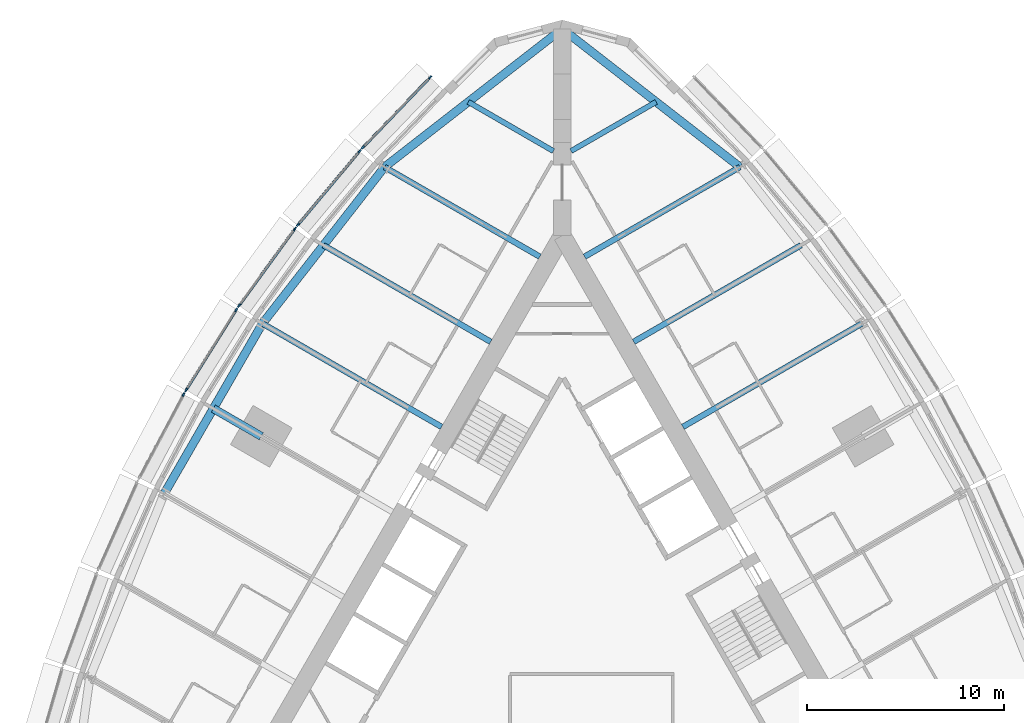
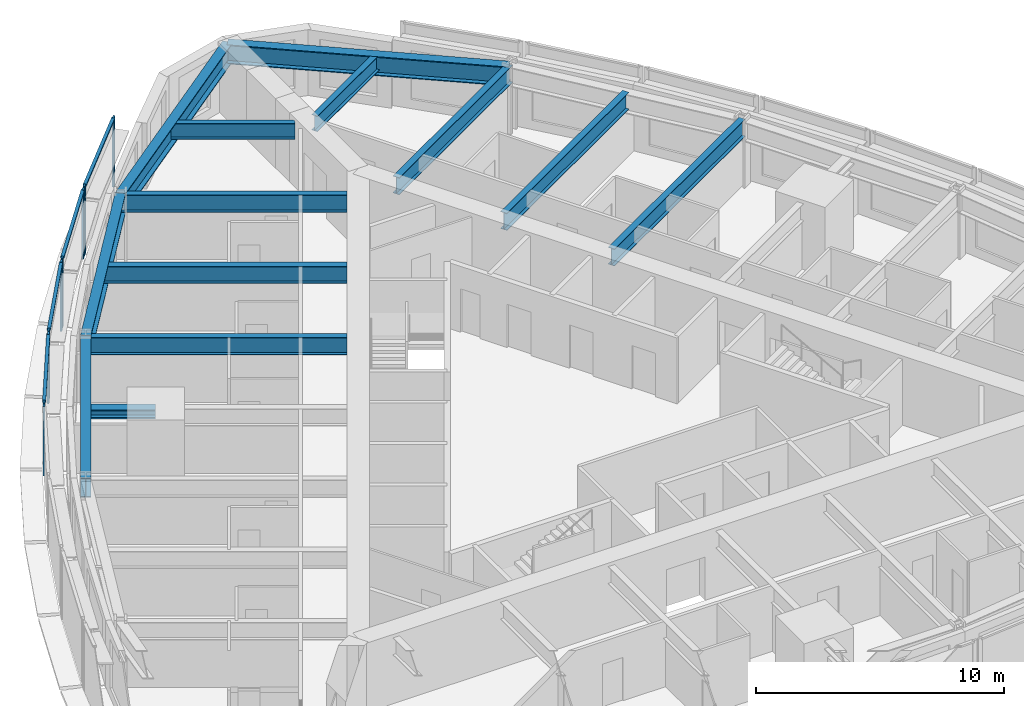
# One storey, part 4 of 14: 13 beams, 13 members, 5 elements without a shape of their own.
"""IFC4 building model written with IfcOpenShell, lengths in metres."""

from ifc_helpers import new_model, si_unit, direction, frame, origin, origin_2d, place, context, subcontext, project, spatial, rectangle, i_section, extrude, material, material_profile, profile_set, type_object, element, aggregate, save


model = new_model("IFC4")

# Units and contexts
model_context = context("Model", 3, precision=1e-05, world=origin(), true_north=direction((0.0, 1.0)))
body_context = subcontext(model_context, "Body", "Model", "MODEL_VIEW")
ifc_project = project(units=[si_unit("LENGTHUNIT", "METRE"), si_unit("AREAUNIT", "SQUARE_METRE"), si_unit("VOLUMEUNIT", "CUBIC_METRE"), si_unit("PLANEANGLEUNIT", "RADIAN"), si_unit("MASSUNIT", "GRAM", prefix="KILO")], contexts=[model_context])

# Site, building, storey
site_placement = place(None, origin())
site = spatial("IfcSite", under=ifc_project, at=site_placement, CompositionType="ELEMENT")
building_placement = place(site_placement, origin())
building = spatial("IfcBuilding", under=site, at=building_placement, Name="Trikona Tower", CompositionType="ELEMENT")
storey_placement = place(building_placement, frame((0.0, 0.0, 135.10009765625)))
storey = spatial("IfcBuildingStorey", under=building, at=storey_placement, Name="L35", CompositionType="ELEMENT", Elevation=135.10009765625)

# Curtain wall, members
ifc_material_1 = material(Name="Aluminium curtain wall system", Category="aluminium")
curtain_wall_type = type_object("IfcCurtainWallType", Name="Curtain wall DS2", PredefinedType="NOTDEFINED", material=ifc_material_1)
curtain_wall_1_placement = place(storey_placement, origin())
curtain_wall_1 = element("IfcCurtainWall", 1, at=curtain_wall_1_placement, inside=storey, type_object=curtain_wall_type, Name="Curtain wall DS2 L35", PredefinedType="NOTDEFINED")
ifc_material_2 = material(Name="Aluminium mullion, pale anodised", Category="aluminium")
ifc_material_profile_1 = material_profile(ifc_material_2, rectangle(XDim=0.080078125, YDim=0.199951171875, at=origin_2d()), Name="MUL-DS2")
ifc_profile_set_1 = profile_set([ifc_material_profile_1], Name="Aluminium mullion, pale anodised")
member_type_1 = type_object("IfcMemberType", Name="Mullion DS2 80x200", PredefinedType="MULLION", material=ifc_profile_set_1)
member_1_placement = place(storey_placement, frame((-6.718994140625, 27.1083984375, 0.0), z_axis=(0.0, 0.0, 1.0), x_axis=(0.722158330767, -0.691727797117, 0.0)))
member_1 = element("IfcMember", 2, at=member_1_placement, type_object=member_type_1, Name="CW-DS2 mullion 1", PredefinedType="MULLION", context=body_context, shape_type="SweptSolid", body=[
    extrude(rectangle(XDim=0.080078125, YDim=0.199951171875, at=origin_2d()), origin(), (0.0, 0.0, 1.0), 3.39990234375),
])
member_2_placement = place(storey_placement, frame((-10.1416015625, 23.535400390625, 0.0), z_axis=(0.0, 0.0, 1.0), x_axis=(0.722158330767, -0.691727797117, 0.0)))
member_2 = element("IfcMember", 3, at=member_2_placement, type_object=member_type_1, Name="CW-DS2 mullion 2", PredefinedType="MULLION", context=body_context, shape_type="SweptSolid", body=[
    extrude(rectangle(XDim=0.080078125, YDim=0.199951171875, at=origin_2d()), origin(), (0.0, 0.0, 1.0), 3.39990234375),
])

curtain_wall_2_placement = place(storey_placement, origin())
curtain_wall_2 = element("IfcCurtainWall", 4, at=curtain_wall_2_placement, inside=storey, type_object=curtain_wall_type, Name="Curtain wall DS2 L35", PredefinedType="NOTDEFINED")
member_3_placement = place(storey_placement, frame((-10.315185546875, 23.34130859375, 0.0), z_axis=(0.0, 0.0, 1.0), x_axis=(0.766866678271, -0.641806433248, 0.0)))
member_3 = element("IfcMember", 5, at=member_3_placement, type_object=member_type_1, Name="CW-DS2 mullion 1", PredefinedType="MULLION", context=body_context, shape_type="SweptSolid", body=[
    extrude(rectangle(XDim=0.080078125, YDim=0.199951171875, at=origin_2d()), origin(), (0.0, 0.0, 1.0), 3.39990234375),
])
member_4_placement = place(storey_placement, frame((-13.44482421875, 19.602294921875, 0.0), z_axis=(0.0, 0.0, 1.0), x_axis=(0.766866678271, -0.641806433248, 0.0)))
member_4 = element("IfcMember", 6, at=member_4_placement, type_object=member_type_1, Name="CW-DS2 mullion 2", PredefinedType="MULLION", context=body_context, shape_type="SweptSolid", body=[
    extrude(rectangle(XDim=0.080078125, YDim=0.199951171875, at=origin_2d()), origin(), (0.0, 0.0, 1.0), 3.39990234375),
])

curtain_wall_3_placement = place(storey_placement, origin())
curtain_wall_3 = element("IfcCurtainWall", 7, at=curtain_wall_3_placement, inside=storey, type_object=curtain_wall_type, Name="Curtain wall DS2 L35", PredefinedType="NOTDEFINED")
member_5_placement = place(storey_placement, frame((-13.605712890625, 19.39599609375, 0.0), z_axis=(0.0, 0.0, 1.0), x_axis=(0.80908576332, -0.587690588313, 0.0)))
member_5 = element("IfcMember", 8, at=member_5_placement, type_object=member_type_1, Name="CW-DS2 mullion 1", PredefinedType="MULLION", context=body_context, shape_type="SweptSolid", body=[
    extrude(rectangle(XDim=0.080078125, YDim=0.199951171875, at=origin_2d()), origin(), (0.0, 0.0, 1.0), 3.39990234375),
])
member_6_placement = place(storey_placement, frame((-16.442626953125, 15.489990234375, 0.0), z_axis=(0.0, 0.0, 1.0), x_axis=(0.80908576332, -0.587690588313, 0.0)))
member_6 = element("IfcMember", 9, at=member_6_placement, type_object=member_type_1, Name="CW-DS2 mullion 2", PredefinedType="MULLION", context=body_context, shape_type="SweptSolid", body=[
    extrude(rectangle(XDim=0.080078125, YDim=0.199951171875, at=origin_2d()), origin(), (0.0, 0.0, 1.0), 3.39990234375),
])

curtain_wall_4_placement = place(storey_placement, origin())
curtain_wall_4 = element("IfcCurtainWall", 10, at=curtain_wall_4_placement, inside=storey, type_object=curtain_wall_type, Name="Curtain wall DS2 L35", PredefinedType="NOTDEFINED")
member_7_placement = place(storey_placement, frame((-16.589599609375, 15.2724609375, 0.0), z_axis=(0.0, 0.0, 1.0), x_axis=(0.847998304006, -0.529998940002, 0.0)))
member_7 = element("IfcMember", 11, at=member_7_placement, type_object=member_type_1, Name="CW-DS2 mullion 1", PredefinedType="MULLION", context=body_context, shape_type="SweptSolid", body=[
    extrude(rectangle(XDim=0.080078125, YDim=0.199951171875, at=origin_2d()), origin(), (0.0, 0.0, 1.0), 3.39990234375),
])
member_8_placement = place(storey_placement, frame((-19.135009765625, 11.199462890625, 0.0), z_axis=(0.0, 0.0, 1.0), x_axis=(0.847998304006, -0.529998940002, 0.0)))
member_8 = element("IfcMember", 12, at=member_8_placement, type_object=member_type_1, Name="CW-DS2 mullion 2", PredefinedType="MULLION", context=body_context, shape_type="SweptSolid", body=[
    extrude(rectangle(XDim=0.080078125, YDim=0.199951171875, at=origin_2d()), origin(), (0.0, 0.0, 1.0), 3.39990234375),
])

# Curtain wall, member
curtain_wall_5_placement = place(storey_placement, origin())
curtain_wall_5 = element("IfcCurtainWall", 13, at=curtain_wall_5_placement, inside=storey, type_object=curtain_wall_type, Name="Curtain wall DS2 L35", PredefinedType="NOTDEFINED")
member_9_placement = place(storey_placement, frame((-19.2666015625, 10.9716796875, 0.0), z_axis=(0.0, 0.0, 1.0), x_axis=(0.882996107343, -0.469380308937, 0.0)))
member_9 = element("IfcMember", 14, at=member_9_placement, type_object=member_type_1, Name="CW-DS2 mullion 1", PredefinedType="MULLION", context=body_context, shape_type="SweptSolid", body=[
    extrude(rectangle(XDim=0.080078125, YDim=0.199951171875, at=origin_2d()), origin(), (0.0, 0.0, 1.0), 3.39990234375),
])
aggregate(curtain_wall_5, [member_9])

# Beams
ifc_material_3 = material(Name="Steel ASTM A992 Grade 50", Category="steel")
ifc_material_profile_2 = material_profile(ifc_material_3, i_section(OverallWidth=0.419189453125, OverallDepth=0.45458984375, WebThickness=0.042236328125, FlangeThickness=0.067626953125, at=origin_2d()), Name="W14X370")
ifc_profile_set_2 = profile_set([ifc_material_profile_2], Name="Steel ASTM A992 Grade 50")
beam_type_1 = type_object("IfcBeamType", Name="Steel beam W14x370 (apex bracket)", PredefinedType="BEAM", material=ifc_profile_set_2)
beam_1_placement = place(storey_placement, frame((-15.311767578125, 8.84033203125, 3.007568359375), z_axis=(-0.86605005072, 0.499957307824, 0.0), x_axis=(-0.499957307824, -0.86605005072, 0.0)))
element("IfcBeam", 15, at=beam_1_placement, inside=storey, type_object=beam_type_1, Name="Cantilever bracket L36 F3", PredefinedType="BEAM", context=body_context, shape_type="SweptSolid", body=[
    extrude(i_section(OverallWidth=0.419189453125, OverallDepth=0.45458984375, WebThickness=0.042236328125, FlangeThickness=0.067626953125, at=origin_2d()), origin(), (0.0, 0.0, 1.0), 2.819580078125),
])
ifc_material_4 = material(Name="Steel ASTM A992 Grade 50", Category="steel")
ifc_material_profile_3 = material_profile(ifc_material_4, i_section(OverallWidth=0.2666015625, OverallDepth=0.76953125, WebThickness=0.015625, FlangeThickness=0.025390625, at=origin_2d()), Name="W30X132")
ifc_profile_set_3 = profile_set([ifc_material_profile_3], Name="Steel ASTM A992 Grade 50")
beam_type_2 = type_object("IfcBeamType", Name="Steel beam W30x132 (wedge)", PredefinedType="BEAM", material=ifc_profile_set_3)
for number, where, z_axis, x_axis, name in (
    (16, (0.449951171875, 23.353759765625, 2.85009765625), (0.866038434829, 0.49997742889, 0.0), (-0.49997742889, 0.866038434829, 0.0), "Floor beam L36 F2 u20"),
    (17, (-0.449951171875, 23.353759765625, 2.85009765625), (-0.866038434829, 0.49997742889, 0.0), (-0.49997742889, -0.866038434829, 0.0), "Floor beam L36 F3 u-20"),
):
    element("IfcBeam", number, at=place(storey_placement, frame(where, z_axis=z_axis, x_axis=x_axis)), inside=storey, type_object=beam_type_2, Name=name, PredefinedType="BEAM", context=body_context, shape_type="SweptSolid", body=[
        extrude(i_section(OverallWidth=0.2666015625, OverallDepth=0.76953125, WebThickness=0.015625, FlangeThickness=0.025390625, at=origin_2d()), origin(), (0.0, 0.0, 1.0), 5.000732421875),
    ])
ifc_material_5 = material(Name="Steel ASTM A992 Grade 50", Category="steel")
ifc_material_profile_4 = material_profile(ifc_material_5, i_section(OverallWidth=0.2919921875, OverallDepth=0.845703125, WebThickness=0.015380859375, FlangeThickness=0.0244140625, at=origin_2d()), Name="W33X141")
ifc_profile_set_4 = profile_set([ifc_material_profile_4], Name="Steel ASTM A992 Grade 50")
beam_type_3 = type_object("IfcBeamType", Name="Steel beam W33x141 (radial typ)", PredefinedType="BEAM", material=ifc_profile_set_4)
beam_2_placement = place(storey_placement, frame((6.1396484375, 9.318359375, 2.81201171875), z_axis=(0.866036080828, 0.499981506362, 0.0), x_axis=(-0.499981506362, 0.866036080828, 0.0)))
element("IfcBeam", 18, at=beam_2_placement, inside=storey, type_object=beam_type_3, Name="Floor beam L36 F2 u5", PredefinedType="BEAM", context=body_context, shape_type="SweptSolid", body=[
    extrude(i_section(OverallWidth=0.2919921875, OverallDepth=0.845703125, WebThickness=0.015380859375, FlangeThickness=0.0244140625, at=origin_2d()), origin(), (0.0, 0.0, 1.0), 10.52392578125),
])
beam_3_placement = place(storey_placement, frame((3.6396484375, 13.6484375, 2.81201171875), z_axis=(0.866030807744, 0.499990639951, 0.0), x_axis=(-0.499990639951, 0.866030807744, 0.0)))
element("IfcBeam", 19, at=beam_3_placement, inside=storey, type_object=beam_type_3, Name="Floor beam L36 F2 u10", PredefinedType="BEAM", context=body_context, shape_type="SweptSolid", body=[
    extrude(i_section(OverallWidth=0.2919921875, OverallDepth=0.845703125, WebThickness=0.015380859375, FlangeThickness=0.0244140625, at=origin_2d()), origin(), (0.0, 0.0, 1.0), 9.823974609375),
])
for number, where, z_axis, x_axis, name in (
    (20, (1.1396484375, 17.978515625, 2.81201171875), (0.866024725532, 0.500001174766, 0.0), (-0.500001174766, 0.866024725532, 0.0), "Floor beam L36 F2 u15"),
    (21, (-1.1396484375, 17.978515625, 2.81201171875), (-0.866024725532, 0.500001174766, 0.0), (-0.500001174766, -0.866024725532, 0.0), "Floor beam L36 F3 u-15"),
):
    element("IfcBeam", number, at=place(storey_placement, frame(where, z_axis=z_axis, x_axis=x_axis)), inside=storey, type_object=beam_type_3, Name=name, PredefinedType="BEAM", context=body_context, shape_type="SweptSolid", body=[
        extrude(i_section(OverallWidth=0.2919921875, OverallDepth=0.845703125, WebThickness=0.015380859375, FlangeThickness=0.0244140625, at=origin_2d()), origin(), (0.0, 0.0, 1.0), 9.1240234375),
    ])
beam_4_placement = place(storey_placement, frame((-3.6396484375, 13.6484375, 2.81201171875), z_axis=(-0.866030807744, 0.499990639951, 0.0), x_axis=(-0.499990639951, -0.866030807744, 0.0)))
element("IfcBeam", 22, at=beam_4_placement, inside=storey, type_object=beam_type_3, Name="Floor beam L36 F3 u-10", PredefinedType="BEAM", context=body_context, shape_type="SweptSolid", body=[
    extrude(i_section(OverallWidth=0.2919921875, OverallDepth=0.845703125, WebThickness=0.015380859375, FlangeThickness=0.0244140625, at=origin_2d()), origin(), (0.0, 0.0, 1.0), 9.823974609375),
])
beam_5_placement = place(storey_placement, frame((-6.1396484375, 9.318359375, 2.81201171875), z_axis=(-0.866036080828, 0.499981506362, 0.0), x_axis=(-0.499981506362, -0.866036080828, 0.0)))
element("IfcBeam", 23, at=beam_5_placement, inside=storey, type_object=beam_type_3, Name="Floor beam L36 F3 u-5", PredefinedType="BEAM", context=body_context, shape_type="SweptSolid", body=[
    extrude(i_section(OverallWidth=0.2919921875, OverallDepth=0.845703125, WebThickness=0.015380859375, FlangeThickness=0.0244140625, at=origin_2d()), origin(), (0.0, 0.0, 1.0), 10.52392578125),
])
ifc_material_6 = material(Name="Steel ASTM A992 Grade 50", Category="steel")
ifc_material_profile_5 = material_profile(ifc_material_6, i_section(OverallWidth=0.424072265625, OverallDepth=0.947509765625, WebThickness=0.02392578125, FlangeThickness=0.042724609375, at=origin_2d()), Name="W36X302")
ifc_profile_set_5 = profile_set([ifc_material_profile_5], Name="Steel ASTM A992 Grade 50")
beam_type_4 = type_object("IfcBeamType", Name="Steel beam W36x302 (spandrel)", PredefinedType="SPANDREL", material=ifc_profile_set_5)
for number, where, z_axis, x_axis, name in (
    (24, (9.041259765625, 22.54052734375, 2.76123046875), (-0.789367137808, 0.613921429621, 0.0), (-0.613921429621, -0.789367137808, 0.0), "Spandrel beam L36 F2-5"),
    (25, (0.0, 29.572265625, 2.76123046875), (-0.789367137808, -0.613921429621, 0.0), (0.613921429621, -0.789367137808, 0.0), "Spandrel beam L36 F3-1"),
):
    element("IfcBeam", number, at=place(storey_placement, frame(where, z_axis=z_axis, x_axis=x_axis)), inside=storey, type_object=beam_type_4, Name=name, PredefinedType="SPANDREL", context=body_context, shape_type="SweptSolid", body=[
        extrude(i_section(OverallWidth=0.424072265625, OverallDepth=0.947509765625, WebThickness=0.02392578125, FlangeThickness=0.042724609375, at=origin_2d()), origin(), (0.0, 0.0, 1.0), 11.453857421875),
    ])
beam_6_placement = place(storey_placement, frame((-9.041259765625, 22.54052734375, 2.76123046875), z_axis=(-0.615232009054, -0.788346101046, 0.0), x_axis=(0.788346101046, -0.615232009054, 0.0)))
element("IfcBeam", 26, at=beam_6_placement, inside=storey, type_object=beam_type_4, Name="Spandrel beam L36 F3-2", PredefinedType="SPANDREL", context=body_context, shape_type="SweptSolid", body=[
    extrude(i_section(OverallWidth=0.424072265625, OverallDepth=0.947509765625, WebThickness=0.02392578125, FlangeThickness=0.042724609375, at=origin_2d()), origin(), (0.0, 0.0, 1.0), 10.09765625),
])
beam_7_placement = place(storey_placement, frame((-15.253662109375, 14.580078125, 2.76123046875), z_axis=(-0.500004234368, -0.866022959057, 0.0), x_axis=(0.866022959057, -0.500004234368, 0.0)))
element("IfcBeam", 27, at=beam_7_placement, inside=storey, type_object=beam_type_4, Name="Spandrel beam L36 F3-3", PredefinedType="SPANDREL", context=body_context, shape_type="SweptSolid", body=[
    extrude(i_section(OverallWidth=0.424072265625, OverallDepth=0.947509765625, WebThickness=0.02392578125, FlangeThickness=0.042724609375, at=origin_2d()), origin(), (0.0, 0.0, 1.0), 10.0),
])

# Member
ifc_material_7 = material(Name="Aluminium transom, pale anodised", Category="aluminium")
ifc_material_profile_6 = material_profile(ifc_material_7, rectangle(XDim=0.139892578125, YDim=0.080078125, at=origin_2d()), Name="TRN-DS2")
ifc_profile_set_6 = profile_set([ifc_material_profile_6], Name="Aluminium transom, pale anodised")
member_type_2 = type_object("IfcMemberType", Name="Transom DS2 80x140", PredefinedType="USERDEFINED", material=ifc_profile_set_6)
member_10_placement = place(storey_placement, frame((-6.746826171875, 27.07958984375, 3.35986328125), z_axis=(-0.691721246785, -0.722164605022, 0.0), x_axis=(0.722164605022, -0.691721246785, 0.0)))
member_10 = element("IfcMember", 28, at=member_10_placement, type_object=member_type_2, Name="CW-DS2 transom 1.1", ObjectType="TRANSOM", PredefinedType="USERDEFINED", context=body_context, shape_type="SweptSolid", body=[
    extrude(rectangle(XDim=0.139892578125, YDim=0.080078125, at=origin_2d()), origin(), (0.0, 0.0, 1.0), 4.867919921875),
])

aggregate(curtain_wall_1, [member_1, member_2, member_10])

member_11_placement = place(storey_placement, frame((-10.341064453125, 23.310791015625, 3.35986328125), z_axis=(-0.641770294892, -0.766896921753, 0.0), x_axis=(0.766896921753, -0.641770294892, 0.0)))
member_11 = element("IfcMember", 29, at=member_11_placement, type_object=member_type_2, Name="CW-DS2 transom 1.1", ObjectType="TRANSOM", PredefinedType="USERDEFINED", context=body_context, shape_type="SweptSolid", body=[
    extrude(rectangle(XDim=0.139892578125, YDim=0.080078125, at=origin_2d()), origin(), (0.0, 0.0, 1.0), 4.7958984375),
])

aggregate(curtain_wall_2, [member_3, member_4, member_11])

member_12_placement = place(storey_placement, frame((-13.629150390625, 19.363525390625, 3.35986328125), z_axis=(-0.587694585883, -0.809082859616, 0.0), x_axis=(0.809082859616, -0.587694585883, 0.0)))
member_12 = element("IfcMember", 30, at=member_12_placement, type_object=member_type_2, Name="CW-DS2 transom 1.1", ObjectType="TRANSOM", PredefinedType="USERDEFINED", context=body_context, shape_type="SweptSolid", body=[
    extrude(rectangle(XDim=0.139892578125, YDim=0.080078125, at=origin_2d()), origin(), (0.0, 0.0, 1.0), 4.747314453125),
])

aggregate(curtain_wall_3, [member_5, member_6, member_12])

member_13_placement = place(storey_placement, frame((-16.610595703125, 15.238525390625, 3.35986328125), z_axis=(-0.530031463794, -0.847977975769, 0.0), x_axis=(0.847977975769, -0.530031463794, 0.0)))
member_13 = element("IfcMember", 31, at=member_13_placement, type_object=member_type_2, Name="CW-DS2 transom 1.1", ObjectType="TRANSOM", PredefinedType="USERDEFINED", context=body_context, shape_type="SweptSolid", body=[
    extrude(rectangle(XDim=0.139892578125, YDim=0.080078125, at=origin_2d()), origin(), (0.0, 0.0, 1.0), 4.72314453125),
])

aggregate(curtain_wall_4, [member_7, member_8, member_13])

save(model, "model.ifc")
